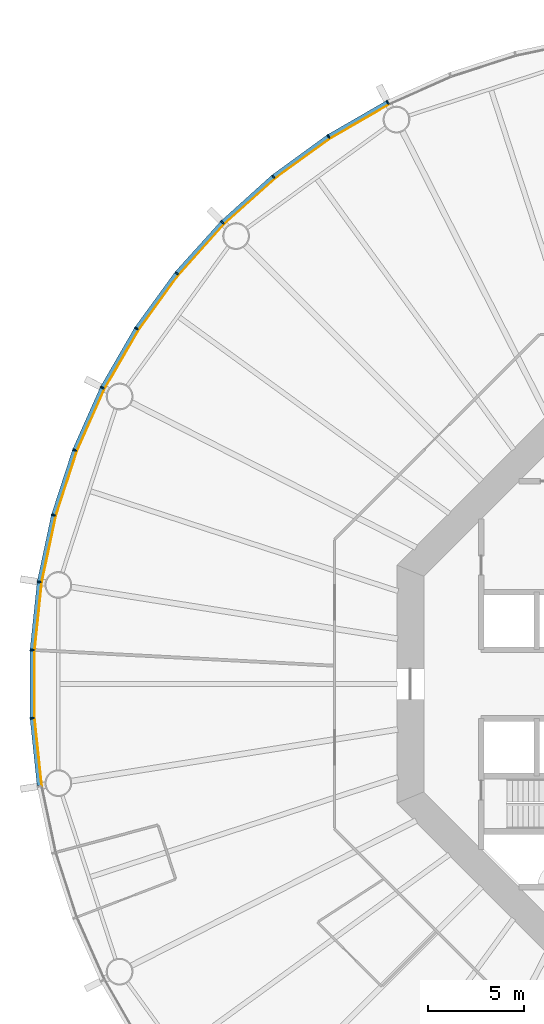
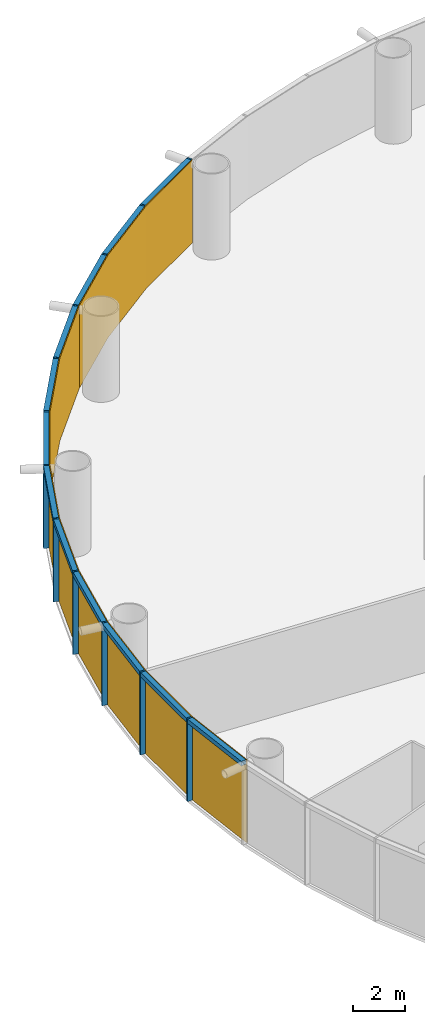
# One storey, part 9 of 13: 24 members, 4 curtain walls.
"""IFC4 building model written with IfcOpenShell, lengths in metres."""

from ifc_helpers import new_model, si_unit, direction, frame, origin, origin_2d, place, context, subcontext, project, spatial, polyline, rectangle, outline, extrude, material, layer, layer_set, material_profile, profile_set, type_object, element, aggregate, save


model = new_model("IFC4")

# Units and contexts
model_context = context("Model", 3, precision=1e-05, world=origin(), true_north=direction((0.0, 1.0)))
body_context = subcontext(model_context, "Body", "Model", "MODEL_VIEW")
ifc_project = project(units=[si_unit("LENGTHUNIT", "METRE"), si_unit("AREAUNIT", "SQUARE_METRE"), si_unit("VOLUMEUNIT", "CUBIC_METRE"), si_unit("PLANEANGLEUNIT", "RADIAN"), si_unit("MASSUNIT", "GRAM", prefix="KILO")], contexts=[model_context])

# Member
ifc_material_1 = material(Name="Anodised aluminium", Category="aluminium")
ifc_material_profile_1 = material_profile(ifc_material_1, rectangle(XDim=0.074951171875, YDim=0.219970703125, at=origin_2d()), Name="Mullion 75 x 220 mm anodised aluminium")
ifc_profile_set_1 = profile_set([ifc_material_profile_1], Name="Anodised aluminium")
member_type_1 = type_object("IfcMemberType", Name="Mullion 75 x 220 mm anodised aluminium", PredefinedType="MULLION", material=ifc_profile_set_1)
site_placement = place(None, origin())
building_placement = place(site_placement, origin())
storey_placement = place(building_placement, frame((0.0, 0.0, 50.0)))
member_1_placement = place(storey_placement, frame((74.514404296875, 110.392333984375, 0.0), z_axis=(0.0, 0.0, 1.0), x_axis=(-0.891006524188, -0.45399049974, 0.0)))
member_1 = element("IfcMember", 1, at=member_1_placement, type_object=member_type_1, Name="MULLION L10-18", PredefinedType="MULLION", context=body_context, shape_type="SweptSolid", body=[
    extrude(rectangle(XDim=0.074951171875, YDim=0.219970703125, at=origin_2d()), origin(), (0.0, 0.0, 1.0), 3.85009765625),
])

member_2_placement = place(storey_placement, frame((71.42236328125, 108.60693359375, 0.0), z_axis=(0.0, 0.0, 1.0), x_axis=(-0.838670567945, -0.544639035015, 0.0)))
member_2 = element("IfcMember", 2, at=member_2_placement, type_object=member_type_1, Name="MULLION L10-19", PredefinedType="MULLION", context=body_context, shape_type="SweptSolid", body=[
    extrude(rectangle(XDim=0.074951171875, YDim=0.219970703125, at=origin_2d()), origin(), (0.0, 0.0, 1.0), 3.85009765625),
])

member_3_placement = place(storey_placement, frame((68.533935546875, 106.508544921875, 0.0), z_axis=(0.0, 0.0, 1.0), x_axis=(-0.777145961457, -0.62932039105, 0.0)))
member_3 = element("IfcMember", 3, at=member_3_placement, type_object=member_type_1, Name="MULLION L10-20", PredefinedType="MULLION", context=body_context, shape_type="SweptSolid", body=[
    extrude(rectangle(XDim=0.074951171875, YDim=0.219970703125, at=origin_2d()), origin(), (0.0, 0.0, 1.0), 3.85009765625),
])

member_4_placement = place(storey_placement, frame((65.880615234375, 104.119384765625, 0.0), z_axis=(0.0, 0.0, 1.0), x_axis=(-0.707106781187, -0.707106781187, 0.0)))
member_4 = element("IfcMember", 4, at=member_4_placement, type_object=member_type_1, Name="MULLION L10-21", PredefinedType="MULLION", context=body_context, shape_type="SweptSolid", body=[
    extrude(rectangle(XDim=0.074951171875, YDim=0.219970703125, at=origin_2d()), origin(), (0.0, 0.0, 1.0), 3.85009765625),
])

member_5_placement = place(storey_placement, frame((63.491455078125, 101.466064453125, 0.0), z_axis=(0.0, 0.0, 1.0), x_axis=(-0.62932039105, -0.777145961457, 0.0)))
member_5 = element("IfcMember", 5, at=member_5_placement, type_object=member_type_1, Name="MULLION L10-22", PredefinedType="MULLION", context=body_context, shape_type="SweptSolid", body=[
    extrude(rectangle(XDim=0.074951171875, YDim=0.219970703125, at=origin_2d()), origin(), (0.0, 0.0, 1.0), 3.85009765625),
])

member_6_placement = place(storey_placement, frame((61.39306640625, 98.57763671875, 0.0), z_axis=(0.0, 0.0, 1.0), x_axis=(-0.544639035015, -0.838670567945, 0.0)))
member_6 = element("IfcMember", 6, at=member_6_placement, type_object=member_type_1, Name="MULLION L10-23", PredefinedType="MULLION", context=body_context, shape_type="SweptSolid", body=[
    extrude(rectangle(XDim=0.074951171875, YDim=0.219970703125, at=origin_2d()), origin(), (0.0, 0.0, 1.0), 3.85009765625),
])

member_7_placement = place(storey_placement, frame((59.607666015625, 95.485595703125, 0.0), z_axis=(0.0, 0.0, 1.0), x_axis=(-0.45399049974, -0.891006524188, 0.0)))
member_7 = element("IfcMember", 7, at=member_7_placement, type_object=member_type_1, Name="MULLION L10-24", PredefinedType="MULLION", context=body_context, shape_type="SweptSolid", body=[
    extrude(rectangle(XDim=0.074951171875, YDim=0.219970703125, at=origin_2d()), origin(), (0.0, 0.0, 1.0), 3.85009765625),
])

member_8_placement = place(storey_placement, frame((58.155517578125, 92.223876953125, 0.0), z_axis=(0.0, 0.0, 1.0), x_axis=(-0.358367949545, -0.933580426497, 0.0)))
member_8 = element("IfcMember", 8, at=member_8_placement, type_object=member_type_1, Name="MULLION L10-25", PredefinedType="MULLION", context=body_context, shape_type="SweptSolid", body=[
    extrude(rectangle(XDim=0.074951171875, YDim=0.219970703125, at=origin_2d()), origin(), (0.0, 0.0, 1.0), 3.85009765625),
])

member_9_placement = place(storey_placement, frame((57.05224609375, 88.828369140625, 0.0), z_axis=(0.0, 0.0, 1.0), x_axis=(-0.258819045103, -0.965925826289, 0.0)))
member_9 = element("IfcMember", 9, at=member_9_placement, type_object=member_type_1, Name="MULLION L10-26", PredefinedType="MULLION", context=body_context, shape_type="SweptSolid", body=[
    extrude(rectangle(XDim=0.074951171875, YDim=0.219970703125, at=origin_2d()), origin(), (0.0, 0.0, 1.0), 3.85009765625),
])

member_10_placement = place(storey_placement, frame((56.31005859375, 85.3359375, 0.0), z_axis=(0.0, 0.0, 1.0), x_axis=(-0.15643446504, -0.987688340595, 0.0)))
member_10 = element("IfcMember", 10, at=member_10_placement, type_object=member_type_1, Name="MULLION L10-27", PredefinedType="MULLION", context=body_context, shape_type="SweptSolid", body=[
    extrude(rectangle(XDim=0.074951171875, YDim=0.219970703125, at=origin_2d()), origin(), (0.0, 0.0, 1.0), 3.85009765625),
])

member_11_placement = place(storey_placement, frame((55.936767578125, 81.78515625, 0.0), z_axis=(0.0, 0.0, 1.0), x_axis=(-0.052335956243, -0.998629534755, 0.0)))
member_11 = element("IfcMember", 11, at=member_11_placement, type_object=member_type_1, Name="MULLION L10-28", PredefinedType="MULLION", context=body_context, shape_type="SweptSolid", body=[
    extrude(rectangle(XDim=0.074951171875, YDim=0.219970703125, at=origin_2d()), origin(), (0.0, 0.0, 1.0), 3.85009765625),
])

member_12_placement = place(storey_placement, frame((55.936767578125, 78.21484375, 0.0), z_axis=(0.0, 0.0, 1.0), x_axis=(0.052335956243, -0.998629534755, 0.0)))
member_12 = element("IfcMember", 12, at=member_12_placement, type_object=member_type_1, Name="MULLION L10-29", PredefinedType="MULLION", context=body_context, shape_type="SweptSolid", body=[
    extrude(rectangle(XDim=0.074951171875, YDim=0.219970703125, at=origin_2d()), origin(), (0.0, 0.0, 1.0), 3.85009765625),
])

ifc_material_2 = material(Name="Anodised aluminium", Category="aluminium")
ifc_material_profile_2 = material_profile(ifc_material_2, rectangle(XDim=0.219970703125, YDim=0.199951171875, at=origin_2d()), Name="Transom 200 x 220 mm anodised aluminium")
ifc_profile_set_2 = profile_set([ifc_material_profile_2], Name="Anodised aluminium")
member_type_2 = type_object("IfcMemberType", Name="Transom 200 x 220 mm anodised aluminium", PredefinedType="USERDEFINED", material=ifc_profile_set_2)
member_13_placement = place(storey_placement, frame((74.476806640625, 110.370849609375, 3.75), z_axis=(-0.866022206254, -0.500005538244, 0.0), x_axis=(0.500005538244, -0.866022206254, 0.0)))
member_13 = element("IfcMember", 13, at=member_13_placement, type_object=member_type_2, Name="TRANSOM L10-18", ObjectType="TRANSOM", PredefinedType="USERDEFINED", context=body_context, shape_type="SweptSolid", body=[
    extrude(rectangle(XDim=0.219970703125, YDim=0.199951171875, at=origin_2d()), origin(), (0.0, 0.0, 1.0), 3.48388671875),
])

member_14_placement = place(storey_placement, frame((71.38720703125, 108.581787109375, 3.75), z_axis=(-0.80899056535, -0.587821627006, 0.0), x_axis=(0.587821627006, -0.80899056535, 0.0)))
member_14 = element("IfcMember", 14, at=member_14_placement, type_object=member_type_2, Name="TRANSOM L10-19", ObjectType="TRANSOM", PredefinedType="USERDEFINED", context=body_context, shape_type="SweptSolid", body=[
    extrude(rectangle(XDim=0.219970703125, YDim=0.199951171875, at=origin_2d()), origin(), (0.0, 0.0, 1.0), 3.48388671875),
])

member_15_placement = place(storey_placement, frame((68.501708984375, 106.479736328125, 3.75), z_axis=(-0.743137329876, -0.669138930974, 0.0), x_axis=(0.669138930974, -0.743137329876, 0.0)))
member_15 = element("IfcMember", 15, at=member_15_placement, type_object=member_type_2, Name="TRANSOM L10-20", ObjectType="TRANSOM", PredefinedType="USERDEFINED", context=body_context, shape_type="SweptSolid", body=[
    extrude(rectangle(XDim=0.219970703125, YDim=0.199951171875, at=origin_2d()), origin(), (0.0, 0.0, 1.0), 3.484130859375),
])

member_16_placement = place(storey_placement, frame((65.8515625, 104.08740234375, 3.75), z_axis=(-0.669138930974, -0.743137329876, 0.0), x_axis=(0.743137329876, -0.669138930974, 0.0)))
member_16 = element("IfcMember", 16, at=member_16_placement, type_object=member_type_2, Name="TRANSOM L10-21", ObjectType="TRANSOM", PredefinedType="USERDEFINED", context=body_context, shape_type="SweptSolid", body=[
    extrude(rectangle(XDim=0.219970703125, YDim=0.199951171875, at=origin_2d()), origin(), (0.0, 0.0, 1.0), 3.484130859375),
])

member_17_placement = place(storey_placement, frame((63.466064453125, 101.43115234375, 3.75), z_axis=(-0.587821627006, -0.80899056535, 0.0), x_axis=(0.80899056535, -0.587821627006, 0.0)))
member_17 = element("IfcMember", 17, at=member_17_placement, type_object=member_type_2, Name="TRANSOM L10-22", ObjectType="TRANSOM", PredefinedType="USERDEFINED", context=body_context, shape_type="SweptSolid", body=[
    extrude(rectangle(XDim=0.219970703125, YDim=0.199951171875, at=origin_2d()), origin(), (0.0, 0.0, 1.0), 3.48388671875),
])

member_18_placement = place(storey_placement, frame((61.37109375, 98.540283203125, 3.75), z_axis=(-0.500005538244, -0.866022206254, 0.0), x_axis=(0.866022206254, -0.500005538244, 0.0)))
member_18 = element("IfcMember", 18, at=member_18_placement, type_object=member_type_2, Name="TRANSOM L10-23", ObjectType="TRANSOM", PredefinedType="USERDEFINED", context=body_context, shape_type="SweptSolid", body=[
    extrude(rectangle(XDim=0.219970703125, YDim=0.199951171875, at=origin_2d()), origin(), (0.0, 0.0, 1.0), 3.48388671875),
])

member_19_placement = place(storey_placement, frame((59.590087890625, 95.446044921875, 3.75), z_axis=(-0.406736576304, -0.913545487371, 0.0), x_axis=(0.913545487371, -0.406736576304, 0.0)))
member_19 = element("IfcMember", 19, at=member_19_placement, type_object=member_type_2, Name="TRANSOM L10-24", ObjectType="TRANSOM", PredefinedType="USERDEFINED", context=body_context, shape_type="SweptSolid", body=[
    extrude(rectangle(XDim=0.219970703125, YDim=0.199951171875, at=origin_2d()), origin(), (0.0, 0.0, 1.0), 3.48388671875),
])

member_20_placement = place(storey_placement, frame((58.14208984375, 92.182861328125, 3.75), z_axis=(-0.309029029702, -0.951052605696, 0.0), x_axis=(0.951052605696, -0.309029029702, 0.0)))
member_20 = element("IfcMember", 20, at=member_20_placement, type_object=member_type_2, Name="TRANSOM L10-25", ObjectType="TRANSOM", PredefinedType="USERDEFINED", context=body_context, shape_type="SweptSolid", body=[
    extrude(rectangle(XDim=0.219970703125, YDim=0.199951171875, at=origin_2d()), origin(), (0.0, 0.0, 1.0), 3.484130859375),
])

member_21_placement = place(storey_placement, frame((57.043212890625, 88.7861328125, 3.75), z_axis=(-0.207920776701, -0.978145669426, 0.0), x_axis=(0.978145669426, -0.207920776701, 0.0)))
member_21 = element("IfcMember", 21, at=member_21_placement, type_object=member_type_2, Name="TRANSOM L10-26", ObjectType="TRANSOM", PredefinedType="USERDEFINED", context=body_context, shape_type="SweptSolid", body=[
    extrude(rectangle(XDim=0.219970703125, YDim=0.199951171875, at=origin_2d()), origin(), (0.0, 0.0, 1.0), 3.48388671875),
])

member_22_placement = place(storey_placement, frame((56.30517578125, 85.29296875, 3.75), z_axis=(-0.104484152234, -0.994526551648, 0.0), x_axis=(0.994526551648, -0.104484152234, 0.0)))
member_22 = element("IfcMember", 22, at=member_22_placement, type_object=member_type_2, Name="TRANSOM L10-27", ObjectType="TRANSOM", PredefinedType="USERDEFINED", context=body_context, shape_type="SweptSolid", body=[
    extrude(rectangle(XDim=0.219970703125, YDim=0.199951171875, at=origin_2d()), origin(), (0.0, 0.0, 1.0), 3.48388671875),
])

member_23_placement = place(storey_placement, frame((55.9365234375, 81.741943359375, 3.75), z_axis=(0.0, -1.0, 0.0), x_axis=(1.0, 0.0, 0.0)))
member_23 = element("IfcMember", 23, at=member_23_placement, type_object=member_type_2, Name="TRANSOM L10-28", ObjectType="TRANSOM", PredefinedType="USERDEFINED", context=body_context, shape_type="SweptSolid", body=[
    extrude(rectangle(XDim=0.219970703125, YDim=0.199951171875, at=origin_2d()), origin(), (0.0, 0.0, 1.0), 3.48388671875),
])

member_24_placement = place(storey_placement, frame((55.941162109375, 78.171875, 3.75), z_axis=(0.104484152234, -0.994526551648, 0.0), x_axis=(0.994526551648, 0.104484152234, 0.0)))
member_24 = element("IfcMember", 24, at=member_24_placement, type_object=member_type_2, Name="TRANSOM L10-29", ObjectType="TRANSOM", PredefinedType="USERDEFINED", context=body_context, shape_type="SweptSolid", body=[
    extrude(rectangle(XDim=0.219970703125, YDim=0.199951171875, at=origin_2d()), origin(), (0.0, 0.0, 1.0), 3.48388671875),
])

# Site, building, storey
site = spatial("IfcSite", under=ifc_project, at=site_placement, CompositionType="ELEMENT")
building = spatial("IfcBuilding", under=site, at=building_placement, Name="Entoto Ring Tower", CompositionType="ELEMENT")
storey = spatial("IfcBuildingStorey", under=building, at=storey_placement, Name="L10", CompositionType="ELEMENT", Elevation=50.0)

# Curtain wall
ifc_material_3 = material(Name="Clear low-iron glass", Category="glass")
ifc_layer = layer(ifc_material_3, 0.0400390625)
ifc_layer_set = layer_set([ifc_layer], Name="Clear low-iron glass")
curtain_wall_type = type_object("IfcCurtainWallType", Name="Curtain wall system CW1 glazing 40 mm", PredefinedType="NOTDEFINED", material=ifc_layer_set)
curtain_wall_1_placement = place(storey_placement, origin())
curtain_wall_1 = element("IfcCurtainWall", 25, at=curtain_wall_1_placement, inside=storey, type_object=curtain_wall_type, Name="CW1 L10-07", PredefinedType="NOTDEFINED", context=body_context, shape_type="SweptSolid", body=[
    extrude(outline(polyline([(74.564208984375, 110.294189453125), (71.482177734375, 108.514892578125), (68.60302734375, 106.4228515625), (65.958251953125, 104.041748046875), (65.986572265625, 104.013427734375), (68.62841796875, 106.391845703125), (71.504150390625, 108.481201171875), (74.58251953125, 110.258544921875), (74.564208984375, 110.294189453125)])), origin(), (0.0, 0.0, 1.0), 3.85009765625),
])

aggregate(curtain_wall_1, [member_1, member_2, member_3, member_13, member_14, member_15])

curtain_wall_2_placement = place(storey_placement, origin())
curtain_wall_2 = element("IfcCurtainWall", 26, at=curtain_wall_2_placement, inside=storey, type_object=curtain_wall_type, Name="CW1 L10-08", PredefinedType="NOTDEFINED", context=body_context, shape_type="SweptSolid", body=[
    extrude(outline(polyline([(65.958251953125, 104.041748046875), (63.5771484375, 101.39697265625), (61.485107421875, 98.517822265625), (59.705810546875, 95.435791015625), (59.741455078125, 95.41748046875), (61.518798828125, 98.495849609375), (63.608154296875, 101.37158203125), (65.986572265625, 104.013427734375), (65.958251953125, 104.041748046875)])), origin(), (0.0, 0.0, 1.0), 3.85009765625),
])

aggregate(curtain_wall_2, [member_4, member_5, member_6, member_16, member_17, member_18])

curtain_wall_3_placement = place(storey_placement, origin())
curtain_wall_3 = element("IfcCurtainWall", 27, at=curtain_wall_3_placement, inside=storey, type_object=curtain_wall_type, Name="CW1 L10-09", PredefinedType="NOTDEFINED", context=body_context, shape_type="SweptSolid", body=[
    extrude(outline(polyline([(59.705810546875, 95.435791015625), (58.25830078125, 92.1845703125), (57.158447265625, 88.7998046875), (56.418701171875, 85.31884765625), (56.458251953125, 85.3125), (57.197265625, 88.78955078125), (58.295654296875, 92.170166015625), (59.741455078125, 95.41748046875), (59.705810546875, 95.435791015625)])), origin(), (0.0, 0.0, 1.0), 3.85009765625),
])

aggregate(curtain_wall_3, [member_7, member_8, member_9, member_19, member_20, member_21])

curtain_wall_4_placement = place(storey_placement, origin())
curtain_wall_4 = element("IfcCurtainWall", 28, at=curtain_wall_4_placement, inside=storey, type_object=curtain_wall_type, Name="CW1 L10-10", PredefinedType="NOTDEFINED", context=body_context, shape_type="SweptSolid", body=[
    extrude(outline(polyline([(56.418701171875, 85.31884765625), (56.046630859375, 81.779541015625), (56.046630859375, 78.220458984375), (56.418701171875, 74.68115234375), (56.458251953125, 74.6875), (56.086669921875, 78.22265625), (56.086669921875, 81.77734375), (56.458251953125, 85.3125), (56.418701171875, 85.31884765625)])), origin(), (0.0, 0.0, 1.0), 3.85009765625),
])

aggregate(curtain_wall_4, [member_10, member_11, member_12, member_22, member_23, member_24])

save(model, "model.ifc")
